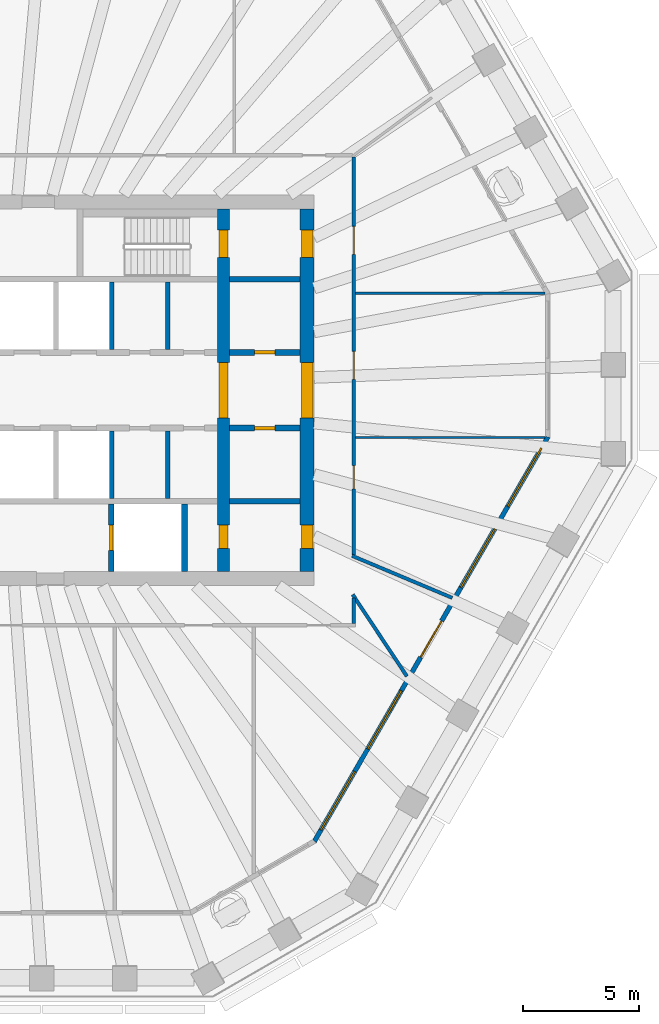
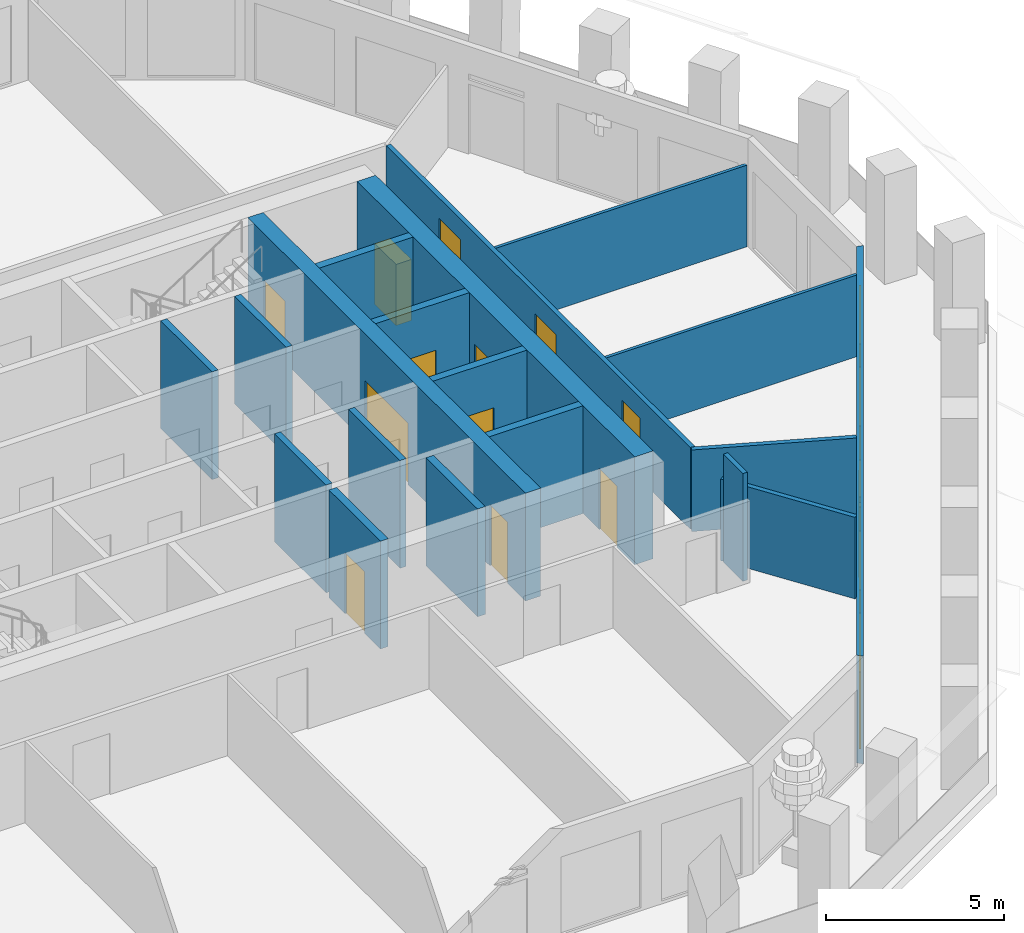
# One storey, part 6 of 12: 19 walls, 13 doors, 5 windows, 18 openings.
"""IFC4 building model written with IfcOpenShell, lengths in metres."""

from ifc_helpers import new_model, si_unit, direction, frame, frame_2d, origin, place, context, subcontext, project, spatial, polyline, rectangle, outline, extrude, material, layer, layer_set, type_object, element, fill, save


model = new_model("IFC4")

# Units and contexts
model_context = context("Model", 3, precision=1e-05, world=origin(), true_north=direction((0.0, 1.0)))
body_context = subcontext(model_context, "Body", "Model", "MODEL_VIEW")
ifc_project = project(units=[si_unit("LENGTHUNIT", "METRE"), si_unit("AREAUNIT", "SQUARE_METRE"), si_unit("VOLUMEUNIT", "CUBIC_METRE"), si_unit("PLANEANGLEUNIT", "RADIAN"), si_unit("MASSUNIT", "GRAM", prefix="KILO")], contexts=[model_context])

# Site, building, storey
site_placement = place(None, origin())
site = spatial("IfcSite", under=ifc_project, at=site_placement, CompositionType="ELEMENT")
building_placement = place(site_placement, origin())
building = spatial("IfcBuilding", under=site, at=building_placement, Name="Frailejon Research Tower", CompositionType="ELEMENT")
storey_placement = place(building_placement, frame((0.0, 0.0, 245.39990234375)))
storey = spatial("IfcBuildingStorey", under=building, at=storey_placement, Name="L53", CompositionType="ELEMENT", Elevation=245.39990234375)

# Wall, openings, doors
ifc_material_1 = material(Name="Concrete C60/75", Category="concrete")
ifc_layer_1 = layer(ifc_material_1, 0.5)
ifc_layer_set_1 = layer_set([ifc_layer_1], Name="Core shear wall 500 C60/75")
wall_type_1 = type_object("IfcWallType", Name="Core shear wall 500 C60/75", PredefinedType="SHEAR", material=ifc_layer_set_1)
wall_1_placement = place(storey_placement, frame((9.60009765625, -7.800048828125, 0.0), z_axis=(0.0, 0.0, 1.0), x_axis=(0.0, 1.0, 0.0)))
wall_1 = element("IfcWall", 1, at=wall_1_placement, inside=storey, type_object=wall_type_1, Name="Core shear wall", PredefinedType="SHEAR", context=body_context, shape_type="SweptSolid", body=[
    extrude(rectangle(XDim=15.60009765625, YDim=0.5, at=frame_2d((7.800048828125, 0.0))), origin(), (0.0, 0.0, 1.0), 3.7001953125),
])
opening_1_placement = place(wall_1_placement, frame((6.60009765625, 0.0, 0.0)))
opening_1 = element("IfcOpeningElement", 2, at=opening_1_placement, cuts=wall_1, Name="Opening D2", PredefinedType="OPENING", context=body_context, shape_type="SweptSolid", body=[
    extrude(rectangle(XDim=2.39990234375, YDim=2.10009765625, at=frame_2d((1.199951171875, 1.050048828125))), frame((0.0, 0.260009765625, 0.0), z_axis=(0.0, -1.0, 0.0), x_axis=(1.0, 0.0, 0.0)), (0.0, 0.0, 1.0), 0.52001953125),
])
opening_2_placement = place(wall_1_placement, frame((13.5, 0.0, 0.0)))
opening_2 = element("IfcOpeningElement", 3, at=opening_2_placement, cuts=wall_1, Name="Opening D1", PredefinedType="OPENING", context=body_context, shape_type="SweptSolid", body=[
    extrude(rectangle(XDim=1.199951171875, YDim=2.10009765625, at=frame_2d((0.60009765625, 1.050048828125))), frame((0.0, 0.260009765625, 0.0), z_axis=(0.0, -1.0, 0.0), x_axis=(1.0, 0.0, 0.0)), (0.0, 0.0, 1.0), 0.52001953125),
])
opening_3_placement = place(wall_1_placement, frame((1.0, 0.0, 0.0)))
opening_3 = element("IfcOpeningElement", 4, at=opening_3_placement, cuts=wall_1, Name="Opening D4", PredefinedType="OPENING", context=body_context, shape_type="SweptSolid", body=[
    extrude(rectangle(XDim=1.0, YDim=2.10009765625, at=frame_2d((0.5, 1.050048828125))), frame((0.0, 0.260009765625, 0.0), z_axis=(0.0, -1.0, 0.0), x_axis=(1.0, 0.0, 0.0)), (0.0, 0.0, 1.0), 0.52001953125),
])
ifc_material_2 = material(Name="Steel", Category="steel")
door_type_1 = type_object("IfcDoorType", Name="Lobby double door", OperationType="DOUBLE_DOOR_SINGLE_SWING", PredefinedType="DOOR", material=ifc_material_2)
door_1_placement = place(opening_1_placement, origin())
door_1 = element("IfcDoor", 5, at=door_1_placement, inside=storey, type_object=door_type_1, Name="Lobby door", OperationType="DOUBLE_DOOR_SINGLE_SWING", OverallHeight=2.10009765625, OverallWidth=2.39990234375, PredefinedType="DOOR", context=body_context, shape_type="SweptSolid", body=[
    extrude(rectangle(XDim=2.39990234375, YDim=2.10009765625, at=frame_2d((1.199951171875, 1.050048828125))), frame((0.0, 0.199951171875, 0.0), z_axis=(0.0, -1.0, 0.0), x_axis=(1.0, 0.0, 0.0)), (0.0, 0.0, 1.0), 0.39990234375),
])
fill(opening_1, door_1)
ifc_material_3 = material(Name="Steel", Category="steel")
door_type_2 = type_object("IfcDoorType", Name="Service door", OperationType="SINGLE_SWING_LEFT", PredefinedType="DOOR", material=ifc_material_3)
door_2_placement = place(opening_3_placement, origin())
door_2 = element("IfcDoor", 6, at=door_2_placement, inside=storey, type_object=door_type_2, Name="Riser door", OperationType="SINGLE_SWING_RIGHT", OverallHeight=2.10009765625, OverallWidth=1.0, PredefinedType="DOOR", context=body_context, shape_type="SweptSolid", body=[
    extrude(rectangle(XDim=1.0, YDim=2.10009765625, at=frame_2d((0.5, 1.050048828125))), frame((0.0, 0.199951171875, 0.0), z_axis=(0.0, -1.0, 0.0), x_axis=(1.0, 0.0, 0.0)), (0.0, 0.0, 1.0), 0.39990234375),
])
fill(opening_3, door_2)
ifc_material_4 = material(Name="Steel", Category="steel")
door_type_3 = type_object("IfcDoorType", Name="Stair door", OperationType="SINGLE_SWING_LEFT", PredefinedType="DOOR", material=ifc_material_4)
door_3_placement = place(opening_2_placement, origin())
door_3 = element("IfcDoor", 7, at=door_3_placement, inside=storey, type_object=door_type_3, Name="Stair door ST3", OperationType="SINGLE_SWING_RIGHT", OverallHeight=2.10009765625, OverallWidth=1.199951171875, PredefinedType="DOOR", context=body_context, shape_type="SweptSolid", body=[
    extrude(rectangle(XDim=1.199951171875, YDim=2.10009765625, at=frame_2d((0.60009765625, 1.050048828125))), frame((0.0, 0.199951171875, 0.0), z_axis=(0.0, -1.0, 0.0), x_axis=(1.0, 0.0, 0.0)), (0.0, 0.0, 1.0), 0.39990234375),
])
fill(opening_2, door_3)

ifc_material_5 = material(Name="Concrete C60/75", Category="concrete")
ifc_layer_2 = layer(ifc_material_5, 0.60009765625)
ifc_layer_set_2 = layer_set([ifc_layer_2], Name="Core shear wall 600 C60/75")
wall_type_2 = type_object("IfcWallType", Name="Core shear wall 600 C60/75", PredefinedType="SHEAR", material=ifc_layer_set_2)
wall_2_placement = place(storey_placement, frame((13.199951171875, -7.800048828125, 0.0), z_axis=(0.0, 0.0, 1.0), x_axis=(0.0, 1.0, 0.0)))
wall_2 = element("IfcWall", 8, at=wall_2_placement, inside=storey, type_object=wall_type_2, Name="Core shear wall", PredefinedType="SHEAR", context=body_context, shape_type="SweptSolid", body=[
    extrude(rectangle(XDim=15.60009765625, YDim=0.60009765625, at=frame_2d((7.800048828125, 0.0))), origin(), (0.0, 0.0, 1.0), 3.7001953125),
])
opening_4_placement = place(wall_2_placement, frame((6.60009765625, 0.0, 0.0)))
opening_4 = element("IfcOpeningElement", 9, at=opening_4_placement, cuts=wall_2, Name="Opening D2", PredefinedType="OPENING", context=body_context, shape_type="SweptSolid", body=[
    extrude(rectangle(XDim=2.39990234375, YDim=2.10009765625, at=frame_2d((1.199951171875, 1.050048828125))), frame((0.0, 0.31005859375, 0.0), z_axis=(0.0, -1.0, 0.0), x_axis=(1.0, 0.0, 0.0)), (0.0, 0.0, 1.0), 0.6201171875),
])
opening_5_placement = place(wall_2_placement, frame((13.5, 0.0, 0.0)))
opening_5 = element("IfcOpeningElement", 10, at=opening_5_placement, cuts=wall_2, Name="Opening D7", PredefinedType="OPENING", context=body_context, shape_type="SweptSolid", body=[
    extrude(rectangle(XDim=1.199951171875, YDim=2.10009765625, at=frame_2d((0.60009765625, 1.050048828125))), frame((0.0, 0.31005859375, 0.0), z_axis=(0.0, -1.0, 0.0), x_axis=(1.0, 0.0, 0.0)), (0.0, 0.0, 1.0), 0.6201171875),
])
opening_6_placement = place(wall_2_placement, frame((1.0, 0.0, 0.0)))
opening_6 = element("IfcOpeningElement", 11, at=opening_6_placement, cuts=wall_2, Name="Opening D4", PredefinedType="OPENING", context=body_context, shape_type="SweptSolid", body=[
    extrude(rectangle(XDim=1.0, YDim=2.10009765625, at=frame_2d((0.5, 1.050048828125))), frame((0.0, 0.31005859375, 0.0), z_axis=(0.0, -1.0, 0.0), x_axis=(1.0, 0.0, 0.0)), (0.0, 0.0, 1.0), 0.6201171875),
])
door_4_placement = place(opening_4_placement, origin())
door_4 = element("IfcDoor", 12, at=door_4_placement, inside=storey, type_object=door_type_1, Name="Lobby door", OperationType="DOUBLE_DOOR_SINGLE_SWING", OverallHeight=2.10009765625, OverallWidth=2.39990234375, PredefinedType="DOOR", context=body_context, shape_type="SweptSolid", body=[
    extrude(rectangle(XDim=2.39990234375, YDim=2.10009765625, at=frame_2d((1.199951171875, 1.050048828125))), frame((0.0, 0.25, 0.0), z_axis=(0.0, -1.0, 0.0), x_axis=(1.0, 0.0, 0.0)), (0.0, 0.0, 1.0), 0.5),
])
fill(opening_4, door_4)
door_5_placement = place(opening_6_placement, origin())
door_5 = element("IfcDoor", 13, at=door_5_placement, inside=storey, type_object=door_type_2, Name="Store door", OperationType="SINGLE_SWING_LEFT", OverallHeight=2.10009765625, OverallWidth=1.0, PredefinedType="DOOR", context=body_context, shape_type="SweptSolid", body=[
    extrude(rectangle(XDim=1.0, YDim=2.10009765625, at=frame_2d((0.5, 1.050048828125))), frame((0.0, 0.25, 0.0), z_axis=(0.0, -1.0, 0.0), x_axis=(1.0, 0.0, 0.0)), (0.0, 0.0, 1.0), 0.5),
])
fill(opening_6, door_5)
ifc_material_6 = material(Name="Steel", Category="steel")
door_type_4 = type_object("IfcDoorType", Name="Stair exit door", OperationType="SINGLE_SWING_LEFT", PredefinedType="DOOR", material=ifc_material_6)
door_6_placement = place(opening_5_placement, origin())
door_6 = element("IfcDoor", 14, at=door_6_placement, inside=storey, type_object=door_type_4, Name="Stair exit door ST3", OperationType="SINGLE_SWING_LEFT", OverallHeight=2.10009765625, OverallWidth=1.199951171875, PredefinedType="DOOR", context=body_context, shape_type="SweptSolid", body=[
    extrude(rectangle(XDim=1.199951171875, YDim=2.10009765625, at=frame_2d((0.60009765625, 1.050048828125))), frame((0.0, 0.25, 0.0), z_axis=(0.0, -1.0, 0.0), x_axis=(1.0, 0.0, 0.0)), (0.0, 0.0, 1.0), 0.5),
])
fill(opening_5, door_6)

# Wall
ifc_material_7 = material(Name="Gypsum board and masonry partition", Category="masonry")
ifc_layer_3 = layer(ifc_material_7, 0.14990234375)
ifc_layer_set_3 = layer_set([ifc_layer_3], Name="Corridor wall EI 60, gypsum on steel studs 150")
wall_type_3 = type_object("IfcWallType", Name="Corridor wall EI 60, gypsum on steel studs 150", PredefinedType="PARTITIONING", material=ifc_layer_set_3)
wall_3_placement = place(storey_placement, frame((15.199951171875, -10.02490234375, 0.0), z_axis=(0.0, 0.0, 1.0), x_axis=(0.0, 1.0, 0.0)))
element("IfcWall", 15, at=wall_3_placement, inside=storey, type_object=wall_type_3, Name="T:IW:L53:003", PredefinedType="PARTITIONING", context=body_context, shape_type="SweptSolid", body=[
    extrude(rectangle(XDim=1.099853515625, YDim=0.14990234375, at=frame_2d((0.5498046875, 0.0))), origin(), (0.0, 0.0, 1.0), 3.7001953125),
])

# Wall, openings, doors
wall_4_placement = place(storey_placement, frame((15.199951171875, -7.074951171875, 0.0), z_axis=(0.0, 0.0, 1.0), x_axis=(0.0, 1.0, 0.0)))
wall_4 = element("IfcWall", 16, at=wall_4_placement, inside=storey, type_object=wall_type_3, Name="T:IW:L53:004", PredefinedType="PARTITIONING", context=body_context, shape_type="SweptSolid", body=[
    extrude(rectangle(XDim=17.099853515625, YDim=0.14990234375, at=frame_2d((8.5498046875, 0.0))), origin(), (0.0, 0.0, 1.0), 2.800048828125),
])
opening_7_placement = place(wall_4_placement, frame((7.54345703125, 0.0, 0.0)))
opening_7 = element("IfcOpeningElement", 17, at=opening_7_placement, cuts=wall_4, Name="Opening D2036", PredefinedType="OPENING", context=body_context, shape_type="SweptSolid", body=[
    extrude(rectangle(XDim=1.199951171875, YDim=2.10009765625, at=frame_2d((0.60009765625, 1.050048828125))), frame((0.0, 0.0849609375, 0.0), z_axis=(0.0, -1.0, 0.0), x_axis=(1.0, 0.0, 0.0)), (0.0, 0.0, 1.0), 0.169921875),
])
opening_8_placement = place(wall_4_placement, frame((12.923095703125, 0.0, 0.0)))
opening_8 = element("IfcOpeningElement", 18, at=opening_8_placement, cuts=wall_4, Name="Opening D2037", PredefinedType="OPENING", context=body_context, shape_type="SweptSolid", body=[
    extrude(rectangle(XDim=1.199951171875, YDim=2.10009765625, at=frame_2d((0.60009765625, 1.050048828125))), frame((0.0, 0.0849609375, 0.0), z_axis=(0.0, -1.0, 0.0), x_axis=(1.0, 0.0, 0.0)), (0.0, 0.0, 1.0), 0.169921875),
])
opening_9_placement = place(wall_4_placement, frame((2.83642578125, 0.0, 0.0)))
opening_9 = element("IfcOpeningElement", 19, at=opening_9_placement, cuts=wall_4, Name="Opening D2050", PredefinedType="OPENING", context=body_context, shape_type="SweptSolid", body=[
    extrude(rectangle(XDim=1.0, YDim=2.10009765625, at=frame_2d((0.5, 1.050048828125))), frame((0.0, 0.0849609375, 0.0), z_axis=(0.0, -1.0, 0.0), x_axis=(1.0, 0.0, 0.0)), (0.0, 0.0, 1.0), 0.169921875),
])
ifc_material_8 = material(Name="Timber door leaf", Category="wood")
door_type_5 = type_object("IfcDoorType", Name="Door single leaf, timber, steel frame 1000", OperationType="NOTDEFINED", PredefinedType="DOOR", material=ifc_material_8)
door_7_placement = place(opening_9_placement, origin())
door_7 = element("IfcDoor", 20, at=door_7_placement, inside=storey, type_object=door_type_5, Name="D2050", OperationType="SINGLE_SWING_RIGHT", OverallHeight=2.10009765625, OverallWidth=1.0, PredefinedType="DOOR", context=body_context, shape_type="SweptSolid", body=[
    extrude(rectangle(XDim=1.0, YDim=2.10009765625, at=frame_2d((0.5, 1.050048828125))), frame((0.0, 0.02490234375, 0.0), z_axis=(0.0, -1.0, 0.0), x_axis=(1.0, 0.0, 0.0)), (0.0, 0.0, 1.0), 0.050048828125),
])
fill(opening_9, door_7)
ifc_material_9 = material(Name="Timber door leaf", Category="wood")
door_type_6 = type_object("IfcDoorType", Name="Door single leaf, timber, steel frame 1200", OperationType="NOTDEFINED", PredefinedType="DOOR", material=ifc_material_9)
door_8_placement = place(opening_7_placement, origin())
door_8 = element("IfcDoor", 21, at=door_8_placement, inside=storey, type_object=door_type_6, Name="D2036", OperationType="DOUBLE_DOOR_SINGLE_SWING", OverallHeight=2.10009765625, OverallWidth=1.199951171875, PredefinedType="DOOR", context=body_context, shape_type="SweptSolid", body=[
    extrude(rectangle(XDim=1.199951171875, YDim=2.10009765625, at=frame_2d((0.60009765625, 1.050048828125))), frame((0.0, 0.02490234375, 0.0), z_axis=(0.0, -1.0, 0.0), x_axis=(1.0, 0.0, 0.0)), (0.0, 0.0, 1.0), 0.050048828125),
])
fill(opening_7, door_8)
door_9_placement = place(opening_8_placement, origin())
door_9 = element("IfcDoor", 22, at=door_9_placement, inside=storey, type_object=door_type_6, Name="D2037", OperationType="DOUBLE_DOOR_SINGLE_SWING", OverallHeight=2.10009765625, OverallWidth=1.199951171875, PredefinedType="DOOR", context=body_context, shape_type="SweptSolid", body=[
    extrude(rectangle(XDim=1.199951171875, YDim=2.10009765625, at=frame_2d((0.60009765625, 1.050048828125))), frame((0.0, 0.02490234375, 0.0), z_axis=(0.0, -1.0, 0.0), x_axis=(1.0, 0.0, 0.0)), (0.0, 0.0, 1.0), 0.050048828125),
])
fill(opening_8, door_9)

# Walls
wall_5_placement = place(storey_placement, frame((15.15869140625, -8.78759765625, 0.0), z_axis=(0.0, 0.0, 1.0), x_axis=(0.552215241224, -0.833701581718, 0.0)))
element("IfcWall", 23, at=wall_5_placement, inside=storey, type_object=wall_type_3, Name="T:IW:L53:009", PredefinedType="PARTITIONING", context=body_context, shape_type="SweptSolid", body=[
    extrude(rectangle(XDim=4.22119140625, YDim=0.14990234375, at=frame_2d((2.110595703125, 0.0))), origin(), (0.0, 0.0, 1.0), 2.800048828125),
])
wall_6_placement = place(storey_placement, frame((15.130859375, -7.12109375, 0.0), z_axis=(0.0, 0.0, 1.0), x_axis=(0.922131258958, -0.386877165586, 0.0)))
element("IfcWall", 24, at=wall_6_placement, inside=storey, type_object=wall_type_3, Name="T:IW:L53:010", PredefinedType="PARTITIONING", context=body_context, shape_type="SweptSolid", body=[
    extrude(rectangle(XDim=4.6728515625, YDim=0.14990234375, at=frame_2d((2.33642578125, 0.0))), origin(), (0.0, 0.0, 1.0), 2.800048828125),
])
ifc_material_10 = material(Name="Gypsum board and masonry partition", Category="masonry")
ifc_layer_4 = layer(ifc_material_10, 0.10009765625)
ifc_layer_set_4 = layer_set([ifc_layer_4], Name="Partition, gypsum on steel studs 100")
wall_type_4 = type_object("IfcWallType", Name="Partition, gypsum on steel studs 100", PredefinedType="PARTITIONING", material=ifc_layer_set_4)
for number, where, z_axis, x_axis, name in (
    (25, (15.27490234375, 4.171875, 0.0), (0.0, 0.0, 1.0), (1.0, 0.0, 0.0), "T:IW:L53:014"),
    (26, (15.27490234375, -2.034912109375, 0.0), (0.0, 0.0, 1.0), (1.0, 0.0, 0.0), "T:IW:L53:015"),
):
    element("IfcWall", number, at=place(storey_placement, frame(where, z_axis=z_axis, x_axis=x_axis)), inside=storey, type_object=wall_type_4, Name=name, PredefinedType="PARTITIONING", context=body_context, shape_type="SweptSolid", body=[
        extrude(rectangle(XDim=8.1455078125, YDim=0.10009765625, at=frame_2d((4.07275390625, 0.0))), origin(), (0.0, 0.0, 1.0), 2.800048828125),
    ])
ifc_material_11 = material(Name="Concrete C60/75", Category="concrete")
ifc_layer_5 = layer(ifc_material_11, 0.199951171875)
ifc_layer_set_5 = layer_set([ifc_layer_5], Name="Shaft wall 200 C60/75")
wall_type_5 = type_object("IfcWallType", Name="Shaft wall 200 C60/75", PredefinedType="SOLIDWALL", material=ifc_layer_set_5)
for number, where, z_axis, x_axis, name in (
    (27, (4.800048828125, 1.75, 0.0), (0.0, 0.0, 1.0), (0.0, 1.0, 0.0), "Shaft wall"),
    (28, (7.199951171875, 1.75, 0.0), (0.0, 0.0, 1.0), (0.0, 1.0, 0.0), "Shaft wall"),
    (29, (4.800048828125, -4.64990234375, 0.0), (0.0, 0.0, 1.0), (0.0, 1.0, 0.0), "Shaft wall"),
    (30, (7.199951171875, -4.64990234375, 0.0), (0.0, 0.0, 1.0), (0.0, 1.0, 0.0), "Shaft wall"),
):
    element("IfcWall", number, at=place(storey_placement, frame(where, z_axis=z_axis, x_axis=x_axis)), inside=storey, type_object=wall_type_5, Name=name, PredefinedType="SOLIDWALL", context=body_context, shape_type="SweptSolid", body=[
        extrude(rectangle(XDim=2.89990234375, YDim=0.199951171875, at=frame_2d((1.449951171875, 0.0))), origin(), (0.0, 0.0, 1.0), 3.7001953125),
    ])

# Wall, opening, door
ifc_material_12 = material(Name="Concrete C60/75", Category="concrete")
ifc_layer_6 = layer(ifc_material_12, 0.25)
ifc_layer_set_6 = layer_set([ifc_layer_6], Name="Shaft wall 250 C60/75")
wall_type_6 = type_object("IfcWallType", Name="Shaft wall 250 C60/75", PredefinedType="SOLIDWALL", material=ifc_layer_set_6)
wall_7_placement = place(storey_placement, frame((9.85009765625, 1.625, 0.0), z_axis=(0.0, 0.0, 1.0), x_axis=(1.0, 0.0, 0.0)))
wall_7 = element("IfcWall", 31, at=wall_7_placement, inside=storey, type_object=wall_type_6, Name="Shaft wall", PredefinedType="SOLIDWALL", context=body_context, shape_type="SweptSolid", body=[
    extrude(rectangle(XDim=3.0498046875, YDim=0.25, at=frame_2d((1.52490234375, 0.0))), origin(), (0.0, 0.0, 1.0), 3.7001953125),
])
opening_10_placement = place(wall_7_placement, frame((1.074951171875, 0.0, 0.0)))
opening_10 = element("IfcOpeningElement", 32, at=opening_10_placement, cuts=wall_7, Name="Opening D8", PredefinedType="OPENING", context=body_context, shape_type="SweptSolid", body=[
    extrude(rectangle(XDim=0.89990234375, YDim=2.10009765625, at=frame_2d((0.449951171875, 1.050048828125))), frame((0.0, 0.135009765625, 0.0), z_axis=(0.0, -1.0, 0.0), x_axis=(1.0, 0.0, 0.0)), (0.0, 0.0, 1.0), 0.27001953125),
])
ifc_material_13 = material(Name="Steel", Category="steel")
door_type_7 = type_object("IfcDoorType", Name="Core room door", OperationType="SINGLE_SWING_LEFT", PredefinedType="DOOR", material=ifc_material_13)
door_10_placement = place(opening_10_placement, origin())
door_10 = element("IfcDoor", 33, at=door_10_placement, inside=storey, type_object=door_type_7, Name="Room door", OperationType="SINGLE_SWING_RIGHT", OverallHeight=2.10009765625, OverallWidth=0.89990234375, PredefinedType="DOOR", context=body_context, shape_type="SweptSolid", body=[
    extrude(rectangle(XDim=0.89990234375, YDim=2.10009765625, at=frame_2d((0.449951171875, 1.050048828125))), frame((0.0, 0.074951171875, 0.0), z_axis=(0.0, -1.0, 0.0), x_axis=(1.0, 0.0, 0.0)), (0.0, 0.0, 1.0), 0.14990234375),
])
fill(opening_10, door_10)

# Wall
wall_8_placement = place(storey_placement, frame((9.85009765625, 4.77490234375, 0.0), z_axis=(0.0, 0.0, 1.0), x_axis=(1.0, 0.0, 0.0)))
element("IfcWall", 34, at=wall_8_placement, inside=storey, type_object=wall_type_6, Name="Shaft wall", PredefinedType="SOLIDWALL", context=body_context, shape_type="SweptSolid", body=[
    extrude(rectangle(XDim=3.0498046875, YDim=0.25, at=frame_2d((1.52490234375, 0.0))), origin(), (0.0, 0.0, 1.0), 3.7001953125),
])

# Wall, opening, door
wall_9_placement = place(storey_placement, frame((9.85009765625, -1.625, 0.0), z_axis=(0.0, 0.0, 1.0), x_axis=(1.0, 0.0, 0.0)))
wall_9 = element("IfcWall", 35, at=wall_9_placement, inside=storey, type_object=wall_type_6, Name="Shaft wall", PredefinedType="SOLIDWALL", context=body_context, shape_type="SweptSolid", body=[
    extrude(rectangle(XDim=3.0498046875, YDim=0.25, at=frame_2d((1.52490234375, 0.0))), origin(), (0.0, 0.0, 1.0), 3.7001953125),
])
opening_11_placement = place(wall_9_placement, frame((1.074951171875, 0.0, 0.0)))
opening_11 = element("IfcOpeningElement", 36, at=opening_11_placement, cuts=wall_9, Name="Opening D8", PredefinedType="OPENING", context=body_context, shape_type="SweptSolid", body=[
    extrude(rectangle(XDim=0.89990234375, YDim=2.10009765625, at=frame_2d((0.449951171875, 1.050048828125))), frame((0.0, 0.135009765625, 0.0), z_axis=(0.0, -1.0, 0.0), x_axis=(1.0, 0.0, 0.0)), (0.0, 0.0, 1.0), 0.27001953125),
])
door_11_placement = place(opening_11_placement, origin())
door_11 = element("IfcDoor", 37, at=door_11_placement, inside=storey, type_object=door_type_7, Name="Room door", OperationType="SINGLE_SWING_LEFT", OverallHeight=2.10009765625, OverallWidth=0.89990234375, PredefinedType="DOOR", context=body_context, shape_type="SweptSolid", body=[
    extrude(rectangle(XDim=0.89990234375, YDim=2.10009765625, at=frame_2d((0.449951171875, 1.050048828125))), frame((0.0, 0.074951171875, 0.0), z_axis=(0.0, -1.0, 0.0), x_axis=(1.0, 0.0, 0.0)), (0.0, 0.0, 1.0), 0.14990234375),
])
fill(opening_11, door_11)

# Wall
wall_10_placement = place(storey_placement, frame((9.85009765625, -4.77490234375, 0.0), z_axis=(0.0, 0.0, 1.0), x_axis=(1.0, 0.0, 0.0)))
element("IfcWall", 38, at=wall_10_placement, inside=storey, type_object=wall_type_6, Name="Shaft wall", PredefinedType="SOLIDWALL", context=body_context, shape_type="SweptSolid", body=[
    extrude(rectangle(XDim=3.0498046875, YDim=0.25, at=frame_2d((1.52490234375, 0.0))), origin(), (0.0, 0.0, 1.0), 3.7001953125),
])

# Wall, opening, door
wall_11_placement = place(storey_placement, frame((4.77490234375, -7.800048828125, 0.0), z_axis=(0.0, 0.0, 1.0), x_axis=(0.0, 1.0, 0.0)))
wall_11 = element("IfcWall", 39, at=wall_11_placement, inside=storey, type_object=wall_type_6, Name="Shaft wall", PredefinedType="SOLIDWALL", context=body_context, shape_type="SweptSolid", body=[
    extrude(rectangle(XDim=2.900146484375, YDim=0.25, at=frame_2d((1.4501953125, 0.0))), origin(), (0.0, 0.0, 1.0), 3.7001953125),
])
opening_12_placement = place(wall_11_placement, frame((0.89990234375, 0.0, 0.0)))
opening_12 = element("IfcOpeningElement", 40, at=opening_12_placement, cuts=wall_11, Name="Opening LD", PredefinedType="OPENING", context=body_context, shape_type="SweptSolid", body=[
    extrude(rectangle(XDim=1.10009765625, YDim=2.10009765625, at=frame_2d((0.550048828125, 1.050048828125))), frame((0.0, 0.135009765625, 0.0), z_axis=(0.0, -1.0, 0.0), x_axis=(1.0, 0.0, 0.0)), (0.0, 0.0, 1.0), 0.27001953125),
])
ifc_material_14 = material(Name="Steel", Category="steel")
door_type_8 = type_object("IfcDoorType", Name="Lift landing door", OperationType="DOUBLE_DOOR_SLIDING", PredefinedType="DOOR", material=ifc_material_14)
door_12_placement = place(opening_12_placement, origin())
door_12 = element("IfcDoor", 41, at=door_12_placement, inside=storey, type_object=door_type_8, Name="Lift landing door", OperationType="DOUBLE_DOOR_SLIDING", OverallHeight=2.10009765625, OverallWidth=1.10009765625, PredefinedType="DOOR", context=body_context, shape_type="SweptSolid", body=[
    extrude(rectangle(XDim=1.10009765625, YDim=2.10009765625, at=frame_2d((0.550048828125, 1.050048828125))), frame((0.0, 0.074951171875, 0.0), z_axis=(0.0, -1.0, 0.0), x_axis=(1.0, 0.0, 0.0)), (0.0, 0.0, 1.0), 0.14990234375),
])
fill(opening_12, door_12)

# Wall
wall_12_placement = place(storey_placement, frame((7.925048828125, -7.800048828125, 0.0), z_axis=(0.0, 0.0, 1.0), x_axis=(0.0, 1.0, 0.0)))
element("IfcWall", 42, at=wall_12_placement, inside=storey, type_object=wall_type_6, Name="Shaft wall", PredefinedType="SOLIDWALL", context=body_context, shape_type="SweptSolid", body=[
    extrude(rectangle(XDim=2.900146484375, YDim=0.25, at=frame_2d((1.4501953125, 0.0))), origin(), (0.0, 0.0, 1.0), 3.7001953125),
])

# Wall, openings, door, windows
ifc_material_15 = material(Name="Concrete C40/50 precast window wall panel", Category="concrete")
ifc_layer_7 = layer(ifc_material_15, 0.199951171875)
ifc_layer_set_7 = layer_set([ifc_layer_7], Name="Window wall 200")
wall_type_7 = type_object("IfcWallType", Name="Window wall 200", PredefinedType="SOLIDWALL", material=ifc_layer_set_7)
wall_13_placement = place(storey_placement, frame((13.5146484375, -19.39208984375, 0.0), z_axis=(0.0, 0.0, 1.0), x_axis=(0.499997939216, 0.866026593575, 0.0)))
wall_13 = element("IfcWall", 43, at=wall_13_placement, inside=storey, type_object=wall_type_7, Name="Exterior wall L53", PredefinedType="SOLIDWALL", context=body_context, shape_type="SweptSolid", body=[
    extrude(outline(polyline([(-0.02685546875, -0.10009765625), (0.9794921875, -0.10009765625), (1.98583984375, -0.10009765625), (2.9921875, -0.10009765625), (3.99853515625, -0.10009765625), (5.0048828125, -0.10009765625), (6.01123046875, -0.10009765625), (7.017578125, -0.10009765625), (8.02392578125, -0.10009765625), (9.0302734375, -0.10009765625), (10.03662109375, -0.10009765625), (11.04296875, -0.10009765625), (12.04931640625, -0.10009765625), (13.0556640625, -0.10009765625), (14.06201171875, -0.10009765625), (15.068359375, -0.10009765625), (16.07470703125, -0.10009765625), (17.0810546875, -0.10009765625), (18.08740234375, -0.10009765625), (19.09375, -0.10009765625), (20.10009765625, -0.10009765625), (20.04638671875, 0.10009765625), (19.04541015625, 0.10009765625), (18.04443359375, 0.10009765625), (17.04345703125, 0.10009765625), (16.04248046875, 0.10009765625), (15.04150390625, 0.10009765625), (14.04052734375, 0.10009765625), (13.03955078125, 0.10009765625), (12.03857421875, 0.10009765625), (11.03759765625, 0.10009765625), (10.03662109375, 0.10009765625), (9.03564453125, 0.10009765625), (8.03466796875, 0.10009765625), (7.03369140625, 0.10009765625), (6.03271484375, 0.10009765625), (5.03173828125, 0.10009765625), (4.03076171875, 0.10009765625), (3.02978515625, 0.10009765625), (2.02880859375, 0.10009765625), (1.02783203125, 0.10009765625), (0.02685546875, 0.10009765625), (-0.02685546875, -0.10009765625)])), origin(), (0.0, 0.0, 1.0), 3.7001953125),
])
opening_13_placement = place(wall_13_placement, frame((0.557373046875, 0.0, 0.10009765625)))
opening_13 = element("IfcOpeningElement", 44, at=opening_13_placement, cuts=wall_13, Name="Opening W20", PredefinedType="OPENING", context=body_context, shape_type="SweptSolid", body=[
    extrude(rectangle(XDim=2.89990234375, YDim=2.64990234375, at=frame_2d((1.449951171875, 1.324951171875))), frame((0.0, 0.10986328125, 0.0), z_axis=(0.0, -1.0, 0.0), x_axis=(1.0, 0.0, 0.0)), (0.0, 0.0, 1.0), 0.219970703125),
])
opening_14_placement = place(wall_13_placement, frame((4.572021484375, 0.0, 0.10009765625)))
opening_14 = element("IfcOpeningElement", 45, at=opening_14_placement, cuts=wall_13, Name="Opening W20", PredefinedType="OPENING", context=body_context, shape_type="SweptSolid", body=[
    extrude(rectangle(XDim=2.89990234375, YDim=2.64990234375, at=frame_2d((1.449951171875, 1.324951171875))), frame((0.0, 0.10986328125, 0.0), z_axis=(0.0, -1.0, 0.0), x_axis=(1.0, 0.0, 0.0)), (0.0, 0.0, 1.0), 0.219970703125),
])
opening_15_placement = place(wall_13_placement, frame((9.13671875, 0.0, 0.0)))
opening_15 = element("IfcOpeningElement", 46, at=opening_15_placement, cuts=wall_13, Name="Opening LG53-6", PredefinedType="OPENING", context=body_context, shape_type="SweptSolid", body=[
    extrude(rectangle(XDim=1.800048828125, YDim=2.39990234375, at=frame_2d((0.89990234375, 1.199951171875))), frame((0.0, 0.10986328125, 0.0), z_axis=(0.0, -1.0, 0.0), x_axis=(1.0, 0.0, 0.0)), (0.0, 0.0, 1.0), 0.219970703125),
])
opening_16_placement = place(wall_13_placement, frame((9.13671875, 0.0, 2.550048828125)))
opening_16 = element("IfcOpeningElement", 47, at=opening_16_placement, cuts=wall_13, Name="Opening W19", PredefinedType="OPENING", context=body_context, shape_type="SweptSolid", body=[
    extrude(rectangle(XDim=1.800048828125, YDim=0.199951171875, at=frame_2d((0.89990234375, 0.10009765625))), frame((0.0, 0.10986328125, 0.0), z_axis=(0.0, -1.0, 0.0), x_axis=(1.0, 0.0, 0.0)), (0.0, 0.0, 1.0), 0.219970703125),
])
opening_17_placement = place(wall_13_placement, frame((12.601318359375, 0.0, 0.10009765625)))
opening_17 = element("IfcOpeningElement", 48, at=opening_17_placement, cuts=wall_13, Name="Opening W20", PredefinedType="OPENING", context=body_context, shape_type="SweptSolid", body=[
    extrude(rectangle(XDim=2.89990234375, YDim=2.64990234375, at=frame_2d((1.449951171875, 1.324951171875))), frame((0.0, 0.10986328125, 0.0), z_axis=(0.0, -1.0, 0.0), x_axis=(1.0, 0.0, 0.0)), (0.0, 0.0, 1.0), 0.219970703125),
])
opening_18_placement = place(wall_13_placement, frame((16.615966796875, 0.0, 0.10009765625)))
opening_18 = element("IfcOpeningElement", 49, at=opening_18_placement, cuts=wall_13, Name="Opening W20", PredefinedType="OPENING", context=body_context, shape_type="SweptSolid", body=[
    extrude(rectangle(XDim=2.89990234375, YDim=2.64990234375, at=frame_2d((1.449951171875, 1.324951171875))), frame((0.0, 0.10986328125, 0.0), z_axis=(0.0, -1.0, 0.0), x_axis=(1.0, 0.0, 0.0)), (0.0, 0.0, 1.0), 0.219970703125),
])
ifc_material_16 = material(Name="Aluminium framed glazed door leaf", Category="aluminium")
door_type_9 = type_object("IfcDoorType", Name="Loggia door 1800x2400", OperationType="DOUBLE_DOOR_SINGLE_SWING", PredefinedType="DOOR", material=ifc_material_16)
door_13_placement = place(opening_15_placement, origin())
door_13 = element("IfcDoor", 50, at=door_13_placement, inside=storey, type_object=door_type_9, Name="Door LG53-6", OperationType="DOUBLE_DOOR_SINGLE_SWING", OverallHeight=2.39990234375, OverallWidth=1.800048828125, PredefinedType="DOOR", context=body_context, shape_type="SweptSolid", body=[
    extrude(rectangle(XDim=1.800048828125, YDim=2.39990234375, at=frame_2d((0.89990234375, 1.199951171875))), frame((0.0, 0.02490234375, 0.0), z_axis=(0.0, -1.0, 0.0), x_axis=(1.0, 0.0, 0.0)), (0.0, 0.0, 1.0), 0.050048828125),
])
fill(opening_15, door_13)
ifc_material_17 = material(Name="Aluminium framed double glazing", Category="aluminium")
window_type_1 = type_object("IfcWindowType", Name="Window 1800x200", PartitioningType="SINGLE_PANEL", PredefinedType="WINDOW", material=ifc_material_17)
window_1_placement = place(opening_16_placement, origin())
window_1 = element("IfcWindow", 51, at=window_1_placement, inside=storey, type_object=window_type_1, Name="Window L53", OverallHeight=0.199951171875, OverallWidth=1.800048828125, PartitioningType="SINGLE_PANEL", PredefinedType="WINDOW", context=body_context, shape_type="SweptSolid", body=[
    extrude(rectangle(XDim=1.800048828125, YDim=0.199951171875, at=frame_2d((0.89990234375, 0.10009765625))), frame((0.0, 0.030029296875, 0.0), z_axis=(0.0, -1.0, 0.0), x_axis=(1.0, 0.0, 0.0)), (0.0, 0.0, 1.0), 0.06005859375),
])
fill(opening_16, window_1)
ifc_material_18 = material(Name="Aluminium framed double glazing", Category="aluminium")
window_type_2 = type_object("IfcWindowType", Name="Window 2900x2650", PartitioningType="SINGLE_PANEL", PredefinedType="WINDOW", material=ifc_material_18)
window_2_placement = place(opening_13_placement, origin())
window_2 = element("IfcWindow", 52, at=window_2_placement, inside=storey, type_object=window_type_2, Name="Window L53", OverallHeight=2.64990234375, OverallWidth=2.89990234375, PartitioningType="SINGLE_PANEL", PredefinedType="WINDOW", context=body_context, shape_type="SweptSolid", body=[
    extrude(rectangle(XDim=2.89990234375, YDim=2.64990234375, at=frame_2d((1.449951171875, 1.324951171875))), frame((0.0, 0.030029296875, 0.0), z_axis=(0.0, -1.0, 0.0), x_axis=(1.0, 0.0, 0.0)), (0.0, 0.0, 1.0), 0.06005859375),
])
fill(opening_13, window_2)
window_3_placement = place(opening_14_placement, origin())
window_3 = element("IfcWindow", 53, at=window_3_placement, inside=storey, type_object=window_type_2, Name="Window L53", OverallHeight=2.64990234375, OverallWidth=2.89990234375, PartitioningType="SINGLE_PANEL", PredefinedType="WINDOW", context=body_context, shape_type="SweptSolid", body=[
    extrude(rectangle(XDim=2.89990234375, YDim=2.64990234375, at=frame_2d((1.449951171875, 1.324951171875))), frame((0.0, 0.030029296875, 0.0), z_axis=(0.0, -1.0, 0.0), x_axis=(1.0, 0.0, 0.0)), (0.0, 0.0, 1.0), 0.06005859375),
])
fill(opening_14, window_3)
window_4_placement = place(opening_17_placement, origin())
window_4 = element("IfcWindow", 54, at=window_4_placement, inside=storey, type_object=window_type_2, Name="Window L53", OverallHeight=2.64990234375, OverallWidth=2.89990234375, PartitioningType="SINGLE_PANEL", PredefinedType="WINDOW", context=body_context, shape_type="SweptSolid", body=[
    extrude(rectangle(XDim=2.89990234375, YDim=2.64990234375, at=frame_2d((1.449951171875, 1.324951171875))), frame((0.0, 0.030029296875, 0.0), z_axis=(0.0, -1.0, 0.0), x_axis=(1.0, 0.0, 0.0)), (0.0, 0.0, 1.0), 0.06005859375),
])
fill(opening_17, window_4)
window_5_placement = place(opening_18_placement, origin())
window_5 = element("IfcWindow", 55, at=window_5_placement, inside=storey, type_object=window_type_2, Name="Window L53", OverallHeight=2.64990234375, OverallWidth=2.89990234375, PartitioningType="SINGLE_PANEL", PredefinedType="WINDOW", context=body_context, shape_type="SweptSolid", body=[
    extrude(rectangle(XDim=2.89990234375, YDim=2.64990234375, at=frame_2d((1.449951171875, 1.324951171875))), frame((0.0, 0.030029296875, 0.0), z_axis=(0.0, -1.0, 0.0), x_axis=(1.0, 0.0, 0.0)), (0.0, 0.0, 1.0), 0.06005859375),
])
fill(opening_18, window_5)

save(model, "model.ifc")
